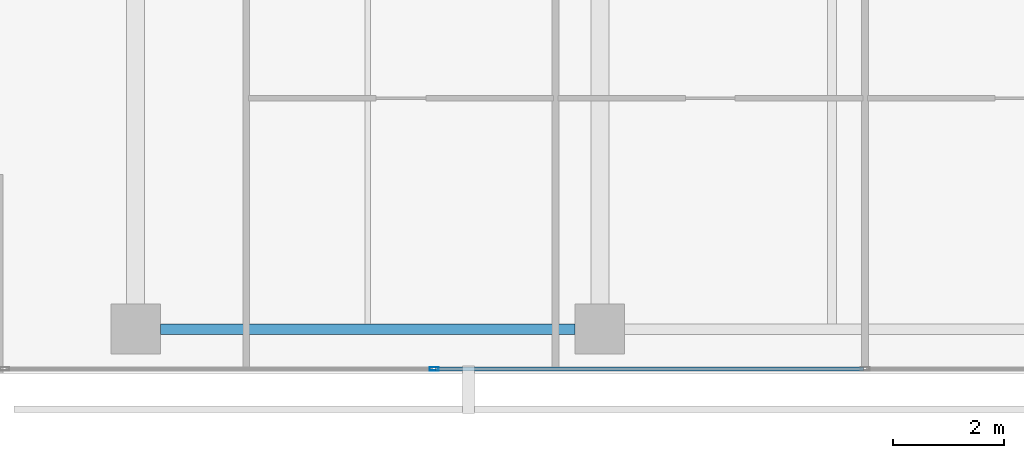
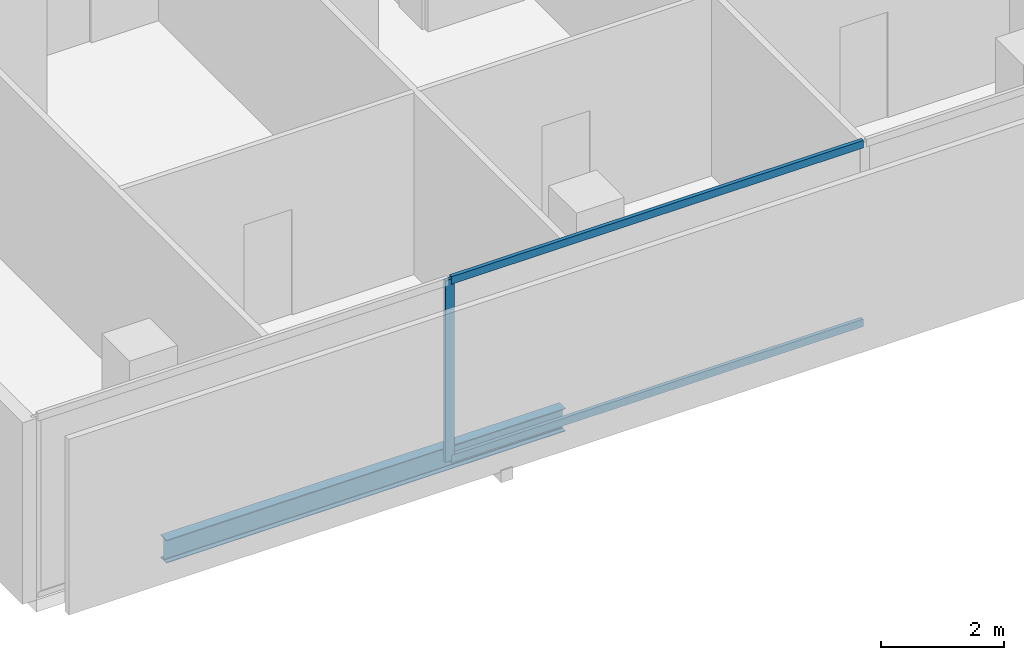
# One storey, part 3 of 41: 3 members, 1 beam, 1 element without a shape of its own.
"""IFC4 building model written with IfcOpenShell, lengths in metres."""

from ifc_helpers import new_model, si_unit, direction, frame, origin, origin_2d, place, context, subcontext, project, spatial, hollow_rectangle, i_section, extrude, material, layer, layer_set, material_profile, profile_set, type_object, element, aggregate, save


model = new_model("IFC4")

# Units and contexts
model_context = context("Model", 3, precision=1e-05, world=origin(), true_north=direction((0.0, 1.0)))
body_context = subcontext(model_context, "Body", "Model", "MODEL_VIEW")
ifc_project = project(units=[si_unit("LENGTHUNIT", "METRE"), si_unit("AREAUNIT", "SQUARE_METRE"), si_unit("VOLUMEUNIT", "CUBIC_METRE"), si_unit("PLANEANGLEUNIT", "RADIAN"), si_unit("MASSUNIT", "GRAM", prefix="KILO")], contexts=[model_context])

# Site, building, storey
site_placement = place(None, origin())
site = spatial("IfcSite", under=ifc_project, at=site_placement, CompositionType="ELEMENT")
building_placement = place(site_placement, origin())
building = spatial("IfcBuilding", under=site, at=building_placement, Name="Maruvema Waterfront Hotel and Observation Tower", CompositionType="ELEMENT")
storey_placement = place(building_placement, frame((0.0, 0.0, 61.60009765625)))
storey = spatial("IfcBuildingStorey", under=building, at=storey_placement, Name="L14", CompositionType="ELEMENT", Elevation=61.60009765625)

# Curtain wall, members
ifc_material_1 = material(Name="Anodised bronze aluminium and solar-control low-E IGU", Category="aluminium")
ifc_layer = layer(ifc_material_1, 0.159912109375, Name="Zone 1 Bronze Inner Thermal Curtain Wall System CW-02")
ifc_layer_set = layer_set([ifc_layer], Name="Anodised bronze aluminium and solar-control low-E IGU")
curtain_wall_type = type_object("IfcCurtainWallType", Name="Zone 1 Bronze Inner Thermal Curtain Wall System CW-02", PredefinedType="USERDEFINED", material=ifc_layer_set)
curtain_wall_placement = place(storey_placement, origin())
curtain_wall = element("IfcCurtainWall", 1, at=curtain_wall_placement, inside=storey, type_object=curtain_wall_type, Name="L14 Curtain Wall CW-L14-S", ObjectType="UNITISED CURTAIN WALL", PredefinedType="USERDEFINED")
ifc_material_2 = material(Name="Anodised architectural bronze aluminium", Category="aluminium")
ifc_material_profile_1 = material_profile(ifc_material_2, hollow_rectangle(XDim=0.070068359375, YDim=0.14990234375, WallThickness=0.00390625, at=origin_2d()), Name="ALU-T70x150")
ifc_profile_set_1 = profile_set([ifc_material_profile_1], Name="Anodised architectural bronze aluminium")
member_type_1 = type_object("IfcMemberType", Name="Curtain Wall Horizontal Transom ALU-T70x150", PredefinedType="USERDEFINED", material=ifc_profile_set_1)
member_1_placement = place(storey_placement, frame((22.22998046875, 0.080078125, 0.02978515625), z_axis=(1.0, 0.0, 0.0), x_axis=(0.0, 1.0, 0.0)))
member_1 = element("IfcMember", 2, at=member_1_placement, type_object=member_type_1, Name="CW-02 transom 2.1", ObjectType="TRANSOM", PredefinedType="USERDEFINED", context=body_context, shape_type="SweptSolid", body=[
    extrude(hollow_rectangle(XDim=0.070068359375, YDim=0.14990234375, WallThickness=0.00390625, at=origin_2d()), origin(), (0.0, 0.0, 1.0), 7.739990234375),
])
member_2_placement = place(storey_placement, frame((22.22998046875, 0.080078125, 3.579833984375), z_axis=(1.0, 0.0, 0.0), x_axis=(0.0, 1.0, 0.0)))
member_2 = element("IfcMember", 3, at=member_2_placement, type_object=member_type_1, Name="CW-02 transom 2.2", ObjectType="TRANSOM", PredefinedType="USERDEFINED", context=body_context, shape_type="SweptSolid", body=[
    extrude(hollow_rectangle(XDim=0.070068359375, YDim=0.14990234375, WallThickness=0.00390625, at=origin_2d()), origin(), (0.0, 0.0, 1.0), 7.739990234375),
])
ifc_material_3 = material(Name="Anodised architectural bronze aluminium", Category="aluminium")
ifc_material_profile_2 = material_profile(ifc_material_3, hollow_rectangle(XDim=0.06494140625, YDim=0.1650390625, WallThickness=0.00390625, at=origin_2d()), Name="ALU-M65x165")
ifc_profile_set_2 = profile_set([ifc_material_profile_2], Name="Anodised architectural bronze aluminium")
member_type_2 = type_object("IfcMemberType", Name="Curtain Wall Primary Mullion ALU-M65x165", PredefinedType="MULLION", material=ifc_profile_set_2)
member_3_placement = place(storey_placement, frame((22.199951171875, 0.080078125, 0.0), z_axis=(0.0, 0.0, 1.0), x_axis=(0.0, 1.0, 0.0)))
member_3 = element("IfcMember", 4, at=member_3_placement, type_object=member_type_2, Name="CW-02 mullion 2", PredefinedType="MULLION", context=body_context, shape_type="SweptSolid", body=[
    extrude(hollow_rectangle(XDim=0.06494140625, YDim=0.1650390625, WallThickness=0.00390625, at=origin_2d()), origin(), (0.0, 0.0, 1.0), 3.60986328125),
])
aggregate(curtain_wall, [member_3, member_1, member_2])

# Beam
ifc_material_4 = material(Name="Steel ASTM A572 Grade 50", Category="steel")
ifc_material_profile_3 = material_profile(ifc_material_4, i_section(OverallWidth=0.18994140625, OverallDepth=0.45703125, WebThickness=0.009033203125, FlangeThickness=0.014404296875, FilletRadius=0.014892578125, at=origin_2d()), Name="W460x74.0")
ifc_profile_set_3 = profile_set([ifc_material_profile_3], Name="Steel ASTM A572 Grade 50")
beam_type = type_object("IfcBeamType", Name="Perimeter Spandrel Beam W460x74.0", PredefinedType="SPANDREL", material=ifc_profile_set_3)
beam_placement = place(storey_placement, frame((17.25, 0.800048828125, -0.468505859375), z_axis=(1.0, 0.0, 0.0), x_axis=(0.0, 1.0, 0.0)))
element("IfcBeam", 5, at=beam_placement, inside=storey, type_object=beam_type, Name="L14 Floor Girder EW-01", PredefinedType="SPANDREL", context=body_context, shape_type="SweptSolid", body=[
    extrude(i_section(OverallWidth=0.18994140625, OverallDepth=0.45703125, WebThickness=0.009033203125, FlangeThickness=0.014404296875, FilletRadius=0.014892578125, at=origin_2d()), origin(), (0.0, 0.0, 1.0), 7.5),
])

save(model, "model.ifc")
